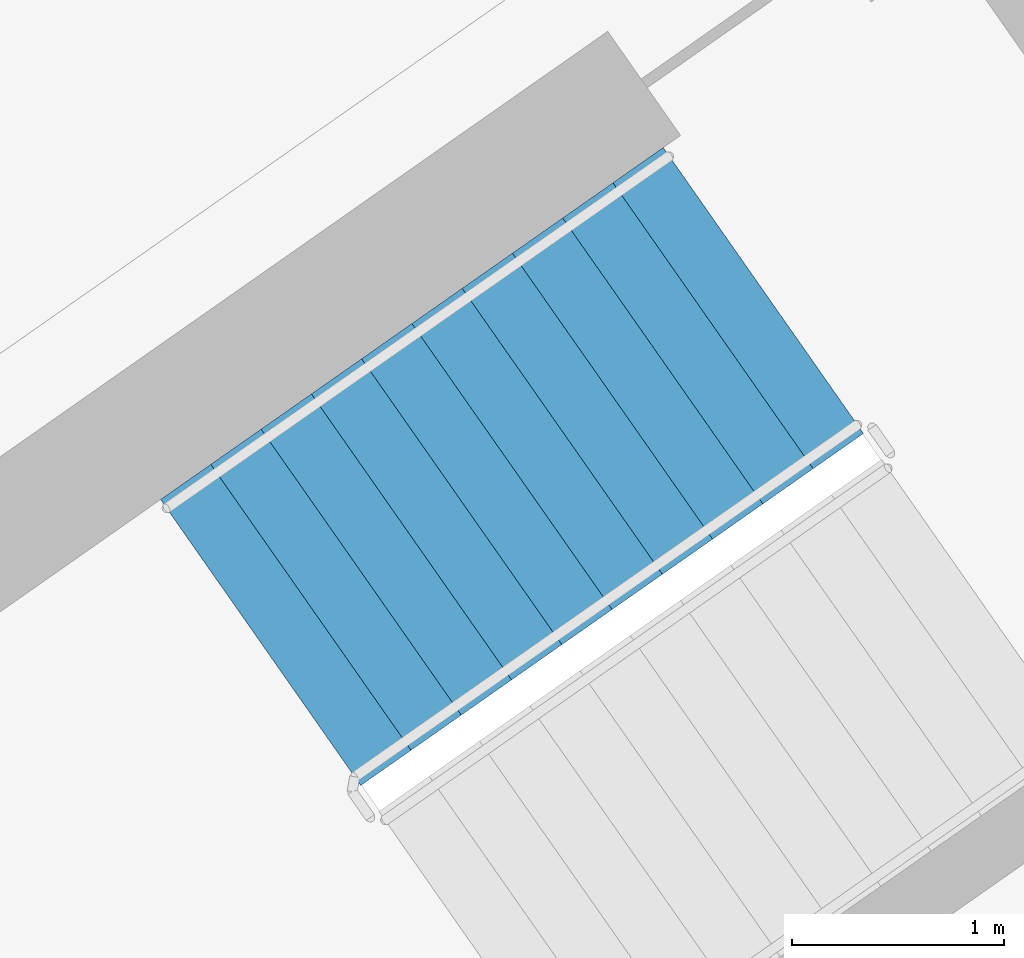
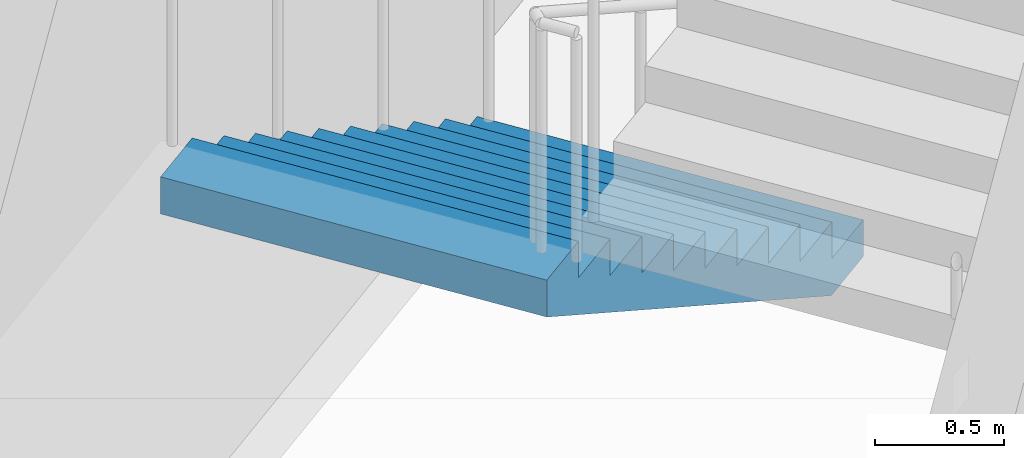
# One storey, part 18 of 26: 1 stair flight, 1 element without a shape of its own.
"""IFC4 building model written with IfcOpenShell, lengths in metres."""

import ifcopenshell
import ifcopenshell.guid

model = None  # the IFC model being written
_history = None  # IfcOwnerHistory: only IFC2X3 demands one
_inside = {}  # id of a spatial element -> (the spatial element, [elements in it])
_under = {}  # id of a project, library or spatial element -> (it, [spatial elements below it])
_declared = {}  # id of a project -> (the project, [libraries it declares])
_typed = {}  # id of a type object -> (the type object, [elements of that type])
_made_of = {}  # id of a material, layer set ... -> (it, [elements and type objects made of it])


def new_model(schema):
    """Start an empty IFC model of exactly this schema.

    Asked for "IFC4X3", IfcOpenShell would pick the latest addendum, in which some entities
    have other attributes; the version numbers below select the first issue.
    IFC2X3 requires an IfcOwnerHistory on every rooted entity: one is made here for all.
    """
    global model, _history
    if schema == "IFC4X3":
        model = ifcopenshell.file(schema_version=(4, 3, 0, 0))
    else:
        model = ifcopenshell.file(schema=schema)
    _inside.clear()
    _under.clear()
    _declared.clear()
    _typed.clear()
    _made_of.clear()
    _history = None
    if model.schema == "IFC2X3":
        org = make("IfcOrganization", Name="unknown")
        user = make(
            "IfcPersonAndOrganization",
            ThePerson=make("IfcPerson", FamilyName="unknown"),
            TheOrganization=org,
        )
        app = make(
            "IfcApplication",
            ApplicationDeveloper=org,
            Version="unknown",
            ApplicationFullName="unknown",
            ApplicationIdentifier="unknown",
        )
        _history = make(
            "IfcOwnerHistory",
            OwningUser=user,
            OwningApplication=app,
            ChangeAction="ADDED",
            CreationDate=0,
        )
    return model


def make(cls, **values):
    """One entity of the class cls with the attributes given. An attribute that is None is left unset."""
    return model.create_entity(
        cls, **{name: value for name, value in values.items() if value is not None}
    )


def rooted(cls, **values):
    """An entity with a GlobalId (a new one), such as an element, a storey or a relation."""
    return make(cls, GlobalId=ifcopenshell.guid.new(), OwnerHistory=_history, **values)


def si_unit(unit_type, name, prefix=None):
    """IfcSIUnit, for example si_unit("LENGTHUNIT", "METRE", prefix="MILLI")."""
    return make("IfcSIUnit", UnitType=unit_type, Prefix=prefix, Name=name)


def assignment(units):
    """IfcUnitAssignment: the units of a project."""
    return None if units is None else make("IfcUnitAssignment", Units=units)


def point(xyz):
    """IfcCartesianPoint."""
    return None if xyz is None else make("IfcCartesianPoint", Coordinates=xyz)


def direction(xyz):
    """IfcDirection."""
    return None if xyz is None else make("IfcDirection", DirectionRatios=xyz)


def frame(location, z_axis=None, x_axis=None):
    """IfcAxis2Placement3D, a coordinate frame: its origin and axes. An axis left out is left unset."""
    return make(
        "IfcAxis2Placement3D",
        Location=point(location),
        Axis=direction(z_axis),
        RefDirection=direction(x_axis),
    )


def origin():
    """The frame at (0, 0, 0) with its axes left unset."""
    return frame((0.0, 0.0, 0.0))


def place(relative_to, where):
    """IfcLocalPlacement: puts the frame where relative to a parent placement (None: the world)."""
    return make(
        "IfcLocalPlacement", PlacementRelTo=relative_to, RelativePlacement=where
    )


def context(
    kind, dimensions, precision=None, world=None, true_north=None, identifier=None
):
    """IfcGeometricRepresentationContext, for example the 3D "Model" context."""
    return make(
        "IfcGeometricRepresentationContext",
        ContextIdentifier=identifier,
        ContextType=kind,
        CoordinateSpaceDimension=dimensions,
        Precision=precision,
        WorldCoordinateSystem=world,
        TrueNorth=true_north,
    )


def subcontext(parent, identifier, kind, view, scale=None):
    """IfcGeometricRepresentationSubContext, for example "Body" below "Model"."""
    return make(
        "IfcGeometricRepresentationSubContext",
        ContextIdentifier=identifier,
        ContextType=kind,
        ParentContext=parent,
        TargetScale=scale,
        TargetView=view,
    )


def project(units=None, contexts=None):
    """IfcProject with its units and contexts."""
    return rooted(
        "IfcProject",
        Name="project",
        RepresentationContexts=contexts,
        UnitsInContext=assignment(units),
    )


def spatial(cls, under=None, at=None, **own):
    """A site, building, storey or space (cls), placed at a placement, below another one or the project."""
    s = rooted(cls, ObjectPlacement=at, **own)
    if under is not None:
        _under.setdefault(under.id(), (under, []))[1].append(s)
    return s


def faces_of(points, faces, orient=None, outer=None):
    """IfcFace entities. A face is a list of loops; a loop is a list of indices into points, from 0.

    orient and outer hold one flag for each loop. By default every Orientation is true, the
    first loop of a face is its IfcFaceOuterBound and the others are IfcFaceBound.
    """
    made = []
    for i, loops in enumerate(faces):
        bounds = []
        for j, loop in enumerate(loops):
            is_outer = j == 0 if outer is None else outer[i][j]
            bounds.append(
                make(
                    "IfcFaceOuterBound" if is_outer else "IfcFaceBound",
                    Bound=make("IfcPolyLoop", Polygon=[points[k] for k in loop]),
                    Orientation=True if orient is None else orient[i][j],
                )
            )
        made.append(make("IfcFace", Bounds=bounds))
    return made


def faceted_brep(points, faces, orient=None, outer=None, voids=None):
    """IfcFacetedBrep: a solid bounded by flat faces; with voids (closed shells), ...WithVoids."""
    shared = [point(p) for p in points]
    hull = make("IfcClosedShell", CfsFaces=faces_of(shared, faces, orient, outer))
    if voids is None:
        return make("IfcFacetedBrep", Outer=hull)
    return make(
        "IfcFacetedBrepWithVoids",
        Outer=hull,
        Voids=[
            make(cls, CfsFaces=faces_of(shared, fs, o, b)) for cls, fs, o, b in voids
        ],
    )


def shape(context_of_items, identifier, shape_type, items):
    """IfcShapeRepresentation: the items that make up one representation, for example the "Body"."""
    return make(
        "IfcShapeRepresentation",
        ContextOfItems=context_of_items,
        RepresentationIdentifier=identifier,
        RepresentationType=shape_type,
        Items=items,
    )


def material(Name=None, Category=None):
    """IfcMaterial."""
    return make("IfcMaterial", Name=Name, Category=Category)


def made_of(thing, what):
    """Note that an element or type object is made of a material, layer set ...; save() writes the relation."""
    if what is not None:
        _made_of.setdefault(what.id(), (what, []))[1].append(thing)
    return thing


def type_object(cls, material=None, **own):
    """A type object (cls), such as IfcWallType, which elements share."""
    return made_of(rooted(cls, **own), material)


def element(
    cls,
    number,
    at=None,
    inside=None,
    cuts=None,
    type_object=None,
    material=None,
    context=None,
    identifier="Body",
    shape_type=None,
    held_by="IfcProductDefinitionShape",
    body=None,
    shapes=None,
    **own,
):
    """One element of the class cls, such as IfcWall. Its Tag is "e" and its number.

    at: its placement. inside: the storey or other place that contains it. cuts: it is an
    opening in that element (IfcRelVoidsElement). A single representation is given by context,
    identifier, shape_type and body (its items); several are given by shapes. held_by: the class
    of the entity that holds the representations. save() writes the other relations.
    """
    e = rooted(cls, Tag="e%d" % number, ObjectPlacement=at, **own)
    if body is not None:
        shapes = [shape(context, identifier, shape_type, body)]
    if shapes is not None:
        e.Representation = make(held_by, Representations=shapes)
    if inside is not None:
        _inside.setdefault(inside.id(), (inside, []))[1].append(e)
    if cuts is not None:
        rooted(
            "IfcRelVoidsElement", RelatingBuildingElement=cuts, RelatedOpeningElement=e
        )
    if type_object is not None:
        _typed.setdefault(type_object.id(), (type_object, []))[1].append(e)
    return made_of(e, material)


def aggregate(whole, parts):
    """IfcRelAggregates: a whole, such as a stair, and the parts it consists of."""
    return rooted("IfcRelAggregates", RelatingObject=whole, RelatedObjects=parts)


def save(model, path):
    """Write the relations noted so far, then the file.

    IfcRelAggregates (storeys below a building ...), IfcRelContainedInSpatialStructure (elements
    in a storey), IfcRelDefinesByType, IfcRelAssociatesMaterial and IfcRelDeclares: one each for
    every whole, place, type object, material and project.
    """
    for whole, parts in _under.values():
        aggregate(whole, parts)
    for where, things in _inside.values():
        rooted(
            "IfcRelContainedInSpatialStructure",
            RelatedElements=things,
            RelatingStructure=where,
        )
    for kind, things in _typed.values():
        rooted("IfcRelDefinesByType", RelatedObjects=things, RelatingType=kind)
    for what, things in _made_of.values():
        rooted("IfcRelAssociatesMaterial", RelatedObjects=things, RelatingMaterial=what)
    for by, libraries in _declared.values():
        rooted("IfcRelDeclares", RelatingContext=by, RelatedDefinitions=libraries)
    model.write(path)


model = new_model("IFC4")

# Units and contexts
model_context = context("Model", 3, precision=1e-05, world=origin(), true_north=direction((0.0, 1.0)))
body_context = subcontext(model_context, "Body", "Model", "MODEL_VIEW")
ifc_project = project(units=[si_unit("LENGTHUNIT", "METRE"), si_unit("AREAUNIT", "SQUARE_METRE"), si_unit("VOLUMEUNIT", "CUBIC_METRE"), si_unit("PLANEANGLEUNIT", "RADIAN"), si_unit("MASSUNIT", "GRAM", prefix="KILO")], contexts=[model_context])

# Site, building, storey
site_placement = place(None, origin())
site = spatial("IfcSite", under=ifc_project, at=site_placement, CompositionType="ELEMENT")
building_placement = place(site_placement, origin())
building = spatial("IfcBuilding", under=site, at=building_placement, Name="Qamariyya Broadcast Tower", CompositionType="ELEMENT")
storey_placement = place(building_placement, frame((0.0, 0.0, 183.5)))
storey = spatial("IfcBuildingStorey", under=building, at=storey_placement, Name="L43", CompositionType="ELEMENT", Elevation=183.5)

# Stair, stair flight
ifc_material = material(Name="Concrete C50/60", Category="concrete")
stair_type = type_object("IfcStairType", Name="Exit stair 22 risers of 173 mm", PredefinedType="HALF_TURN_STAIR", material=ifc_material)
stair_placement = place(storey_placement, origin())
stair = element("IfcStair", 1, at=stair_placement, inside=storey, type_object=stair_type, Name="L43 Stair E2", PredefinedType="HALF_TURN_STAIR")
stair_flight_type = type_object("IfcStairFlightType", Name="Exit stair flight 11 risers of 173 mm", PredefinedType="STRAIGHT", material=ifc_material)
stair_flight_placement = place(storey_placement, frame((40.558837890625, -47.685302734375, 0.0), z_axis=(0.0, 0.0, 1.0), x_axis=(-0.819152044289, -0.573576436351, 0.0)))
stair_flight = element("IfcStairFlight", 2, at=stair_flight_placement, type_object=stair_flight_type, Name="ST-E2 flight 1", NumberOfRisers=11, NumberOfTreads=10, PredefinedType="STRAIGHT", RiserHeight=0.172727273, TreadLength=0.29, context=body_context, shape_type="Brep", body=[
    faceted_brep([(0.0, 0.824951171875, 0.0), (0.0, 0.824951171875, 0.172607421875), (0.2900390625, 0.824951171875, 0.172607421875), (0.2900390625, 0.824951171875, 0.345458984375), (0.580078125, 0.824951171875, 0.345458984375), (0.580078125, 0.824951171875, 0.51806640625), (0.8701171875, 0.824951171875, 0.51806640625), (0.8701171875, 0.824951171875, 0.69091796875), (1.159912109375, 0.824951171875, 0.69091796875), (1.159912109375, 0.824951171875, 0.863525390625), (1.449951171875, 0.824951171875, 0.863525390625), (1.449951171875, 0.824951171875, 1.036376953125), (1.739990234375, 0.824951171875, 1.036376953125), (1.739990234375, 0.824951171875, 1.208984375), (2.030029296875, 0.824951171875, 1.208984375), (2.030029296875, 0.824951171875, 1.3818359375), (2.320068359375, 0.824951171875, 1.3818359375), (2.320068359375, 0.824951171875, 1.554443359375), (2.610107421875, 0.824951171875, 1.554443359375), (2.610107421875, 0.824951171875, 1.727294921875), (2.89990234375, 0.824951171875, 1.727294921875), (2.89990234375, 0.824951171875, 1.552734375), (0.29296875, 0.824951171875, 0.0), (0.29296875, -0.824951171875, 0.0), (2.89990234375, -0.824951171875, 1.552734375), (2.89990234375, -0.824951171875, 1.727294921875), (2.610107421875, -0.824951171875, 1.727294921875), (2.610107421875, -0.824951171875, 1.554443359375), (2.320068359375, -0.824951171875, 1.554443359375), (2.320068359375, -0.824951171875, 1.3818359375), (2.030029296875, -0.824951171875, 1.3818359375), (2.030029296875, -0.824951171875, 1.208984375), (1.739990234375, -0.824951171875, 1.208984375), (1.739990234375, -0.824951171875, 1.036376953125), (1.449951171875, -0.824951171875, 1.036376953125), (1.449951171875, -0.824951171875, 0.863525390625), (1.159912109375, -0.824951171875, 0.863525390625), (1.159912109375, -0.824951171875, 0.69091796875), (0.8701171875, -0.824951171875, 0.69091796875), (0.8701171875, -0.824951171875, 0.51806640625), (0.580078125, -0.824951171875, 0.51806640625), (0.580078125, -0.824951171875, 0.345458984375), (0.2900390625, -0.824951171875, 0.345458984375), (0.2900390625, -0.824951171875, 0.172607421875), (0.0, -0.824951171875, 0.172607421875), (0.0, -0.824951171875, 0.0), (0.0, 0.10009765625, 0.0), (0.0, 0.086669921875, 0.0), (0.0, 0.0732421875, 0.0), (0.0, 0.06005859375, 0.0), (0.0, 0.046630859375, 0.0), (0.0, 0.033447265625, 0.0), (0.0, 0.02001953125, 0.0), (0.0, 0.006591796875, 0.0), (0.0, -0.006591796875, 0.0), (0.0, -0.02001953125, 0.0), (0.0, -0.033447265625, 0.0), (0.0, -0.046630859375, 0.0), (0.0, -0.06005859375, 0.0), (0.0, -0.0732421875, 0.0), (0.0, -0.086669921875, 0.0), (0.0, -0.10009765625, 0.0), (0.0, -0.10009765625, 0.172607421875), (0.0, -0.086669921875, 0.172607421875), (0.0, -0.0732421875, 0.172607421875), (0.0, -0.06005859375, 0.172607421875), (0.0, -0.046630859375, 0.172607421875), (0.0, -0.033447265625, 0.172607421875), (0.0, -0.02001953125, 0.172607421875), (0.0, -0.006591796875, 0.172607421875), (0.0, 0.006591796875, 0.172607421875), (0.0, 0.02001953125, 0.172607421875), (0.0, 0.033447265625, 0.172607421875), (0.0, 0.046630859375, 0.172607421875), (0.0, 0.06005859375, 0.172607421875), (0.0, 0.0732421875, 0.172607421875), (0.0, 0.086669921875, 0.172607421875), (0.0, 0.10009765625, 0.172607421875), (0.2900390625, -0.10009765625, 0.172607421875), (0.2900390625, -0.086669921875, 0.172607421875), (0.2900390625, -0.0732421875, 0.172607421875), (0.2900390625, -0.06005859375, 0.172607421875), (0.2900390625, -0.046630859375, 0.172607421875), (0.2900390625, -0.033447265625, 0.172607421875), (0.2900390625, -0.02001953125, 0.172607421875), (0.2900390625, -0.006591796875, 0.172607421875), (0.2900390625, 0.006591796875, 0.172607421875), (0.2900390625, 0.02001953125, 0.172607421875), (0.2900390625, 0.033447265625, 0.172607421875), (0.2900390625, 0.046630859375, 0.172607421875), (0.2900390625, 0.06005859375, 0.172607421875), (0.2900390625, 0.0732421875, 0.172607421875), (0.2900390625, 0.086669921875, 0.172607421875), (0.2900390625, 0.10009765625, 0.172607421875), (0.2900390625, -0.10009765625, 0.345458984375), (0.2900390625, -0.086669921875, 0.345458984375), (0.2900390625, -0.0732421875, 0.345458984375), (0.2900390625, -0.06005859375, 0.345458984375), (0.2900390625, -0.046630859375, 0.345458984375), (0.2900390625, -0.033447265625, 0.345458984375), (0.2900390625, -0.02001953125, 0.345458984375), (0.2900390625, -0.006591796875, 0.345458984375), (0.2900390625, 0.006591796875, 0.345458984375), (0.2900390625, 0.02001953125, 0.345458984375), (0.2900390625, 0.033447265625, 0.345458984375), (0.2900390625, 0.046630859375, 0.345458984375), (0.2900390625, 0.06005859375, 0.345458984375), (0.2900390625, 0.0732421875, 0.345458984375), (0.2900390625, 0.086669921875, 0.345458984375), (0.2900390625, 0.10009765625, 0.345458984375), (0.580078125, -0.10009765625, 0.345458984375), (0.580078125, -0.086669921875, 0.345458984375), (0.580078125, -0.0732421875, 0.345458984375), (0.580078125, -0.06005859375, 0.345458984375), (0.580078125, -0.046630859375, 0.345458984375), (0.580078125, -0.033447265625, 0.345458984375), (0.580078125, -0.02001953125, 0.345458984375), (0.580078125, -0.006591796875, 0.345458984375), (0.580078125, 0.006591796875, 0.345458984375), (0.580078125, 0.02001953125, 0.345458984375), (0.580078125, 0.033447265625, 0.345458984375), (0.580078125, 0.046630859375, 0.345458984375), (0.580078125, 0.06005859375, 0.345458984375), (0.580078125, 0.0732421875, 0.345458984375), (0.580078125, 0.086669921875, 0.345458984375), (0.580078125, 0.10009765625, 0.345458984375), (0.580078125, -0.10009765625, 0.51806640625), (0.580078125, -0.086669921875, 0.51806640625), (0.580078125, -0.0732421875, 0.51806640625), (0.580078125, -0.06005859375, 0.51806640625), (0.580078125, -0.046630859375, 0.51806640625), (0.580078125, -0.033447265625, 0.51806640625), (0.580078125, -0.02001953125, 0.51806640625), (0.580078125, -0.006591796875, 0.51806640625), (0.580078125, 0.006591796875, 0.51806640625), (0.580078125, 0.02001953125, 0.51806640625), (0.580078125, 0.033447265625, 0.51806640625), (0.580078125, 0.046630859375, 0.51806640625), (0.580078125, 0.06005859375, 0.51806640625), (0.580078125, 0.0732421875, 0.51806640625), (0.580078125, 0.086669921875, 0.51806640625), (0.580078125, 0.10009765625, 0.51806640625), (0.8701171875, -0.10009765625, 0.51806640625), (0.8701171875, -0.086669921875, 0.51806640625), (0.8701171875, -0.0732421875, 0.51806640625), (0.8701171875, -0.06005859375, 0.51806640625), (0.8701171875, -0.046630859375, 0.51806640625), (0.8701171875, -0.033447265625, 0.51806640625), (0.8701171875, -0.02001953125, 0.51806640625), (0.8701171875, -0.006591796875, 0.51806640625), (0.8701171875, 0.006591796875, 0.51806640625), (0.8701171875, 0.02001953125, 0.51806640625), (0.8701171875, 0.033447265625, 0.51806640625), (0.8701171875, 0.046630859375, 0.51806640625), (0.8701171875, 0.06005859375, 0.51806640625), (0.8701171875, 0.0732421875, 0.51806640625), (0.8701171875, 0.086669921875, 0.51806640625), (0.8701171875, 0.10009765625, 0.51806640625), (0.8701171875, -0.10009765625, 0.69091796875), (0.8701171875, -0.086669921875, 0.69091796875), (0.8701171875, -0.0732421875, 0.69091796875), (0.8701171875, -0.06005859375, 0.69091796875), (0.8701171875, -0.046630859375, 0.69091796875), (0.8701171875, -0.033447265625, 0.69091796875), (0.8701171875, -0.02001953125, 0.69091796875), (0.8701171875, -0.006591796875, 0.69091796875), (0.8701171875, 0.006591796875, 0.69091796875), (0.8701171875, 0.02001953125, 0.69091796875), (0.8701171875, 0.033447265625, 0.69091796875), (0.8701171875, 0.046630859375, 0.69091796875), (0.8701171875, 0.06005859375, 0.69091796875), (0.8701171875, 0.0732421875, 0.69091796875), (0.8701171875, 0.086669921875, 0.69091796875), (0.8701171875, 0.10009765625, 0.69091796875), (1.159912109375, -0.10009765625, 0.69091796875), (1.159912109375, -0.086669921875, 0.69091796875), (1.159912109375, -0.0732421875, 0.69091796875), (1.159912109375, -0.06005859375, 0.69091796875), (1.159912109375, -0.046630859375, 0.69091796875), (1.159912109375, -0.033447265625, 0.69091796875), (1.159912109375, -0.02001953125, 0.69091796875), (1.159912109375, -0.006591796875, 0.69091796875), (1.159912109375, 0.006591796875, 0.69091796875), (1.159912109375, 0.02001953125, 0.69091796875), (1.159912109375, 0.033447265625, 0.69091796875), (1.159912109375, 0.046630859375, 0.69091796875), (1.159912109375, 0.06005859375, 0.69091796875), (1.159912109375, 0.0732421875, 0.69091796875), (1.159912109375, 0.086669921875, 0.69091796875), (1.159912109375, 0.10009765625, 0.69091796875), (1.159912109375, -0.10009765625, 0.863525390625), (1.159912109375, -0.086669921875, 0.863525390625), (1.159912109375, -0.0732421875, 0.863525390625), (1.159912109375, -0.06005859375, 0.863525390625), (1.159912109375, -0.046630859375, 0.863525390625), (1.159912109375, -0.033447265625, 0.863525390625), (1.159912109375, -0.02001953125, 0.863525390625), (1.159912109375, -0.006591796875, 0.863525390625), (1.159912109375, 0.006591796875, 0.863525390625), (1.159912109375, 0.02001953125, 0.863525390625), (1.159912109375, 0.033447265625, 0.863525390625), (1.159912109375, 0.046630859375, 0.863525390625), (1.159912109375, 0.06005859375, 0.863525390625), (1.159912109375, 0.0732421875, 0.863525390625), (1.159912109375, 0.086669921875, 0.863525390625), (1.159912109375, 0.10009765625, 0.863525390625), (1.449951171875, -0.10009765625, 0.863525390625), (1.449951171875, -0.086669921875, 0.863525390625), (1.449951171875, -0.0732421875, 0.863525390625), (1.449951171875, -0.06005859375, 0.863525390625), (1.449951171875, -0.046630859375, 0.863525390625), (1.449951171875, -0.033447265625, 0.863525390625), (1.449951171875, -0.02001953125, 0.863525390625), (1.449951171875, -0.006591796875, 0.863525390625), (1.449951171875, 0.006591796875, 0.863525390625), (1.449951171875, 0.02001953125, 0.863525390625), (1.449951171875, 0.033447265625, 0.863525390625), (1.449951171875, 0.046630859375, 0.863525390625), (1.449951171875, 0.06005859375, 0.863525390625), (1.449951171875, 0.0732421875, 0.863525390625), (1.449951171875, 0.086669921875, 0.863525390625), (1.449951171875, 0.10009765625, 0.863525390625), (1.449951171875, -0.10009765625, 1.036376953125), (1.449951171875, -0.086669921875, 1.036376953125), (1.449951171875, -0.0732421875, 1.036376953125), (1.449951171875, -0.06005859375, 1.036376953125), (1.449951171875, -0.046630859375, 1.036376953125), (1.449951171875, -0.033447265625, 1.036376953125), (1.449951171875, -0.02001953125, 1.036376953125), (1.449951171875, -0.006591796875, 1.036376953125), (1.449951171875, 0.006591796875, 1.036376953125), (1.449951171875, 0.02001953125, 1.036376953125), (1.449951171875, 0.033447265625, 1.036376953125), (1.449951171875, 0.046630859375, 1.036376953125), (1.449951171875, 0.06005859375, 1.036376953125), (1.449951171875, 0.0732421875, 1.036376953125), (1.449951171875, 0.086669921875, 1.036376953125), (1.449951171875, 0.10009765625, 1.036376953125), (1.739990234375, -0.10009765625, 1.036376953125), (1.739990234375, -0.086669921875, 1.036376953125), (1.739990234375, -0.0732421875, 1.036376953125), (1.739990234375, -0.06005859375, 1.036376953125), (1.739990234375, -0.046630859375, 1.036376953125), (1.739990234375, -0.033447265625, 1.036376953125), (1.739990234375, -0.02001953125, 1.036376953125), (1.739990234375, -0.006591796875, 1.036376953125), (1.739990234375, 0.006591796875, 1.036376953125), (1.739990234375, 0.02001953125, 1.036376953125), (1.739990234375, 0.033447265625, 1.036376953125), (1.739990234375, 0.046630859375, 1.036376953125), (1.739990234375, 0.06005859375, 1.036376953125), (1.739990234375, 0.0732421875, 1.036376953125), (1.739990234375, 0.086669921875, 1.036376953125), (1.739990234375, 0.10009765625, 1.036376953125), (1.739990234375, -0.10009765625, 1.208984375), (1.739990234375, -0.086669921875, 1.208984375), (1.739990234375, -0.0732421875, 1.208984375), (1.739990234375, -0.06005859375, 1.208984375), (1.739990234375, -0.046630859375, 1.208984375), (1.739990234375, -0.033447265625, 1.208984375), (1.739990234375, -0.02001953125, 1.208984375), (1.739990234375, -0.006591796875, 1.208984375), (1.739990234375, 0.006591796875, 1.208984375), (1.739990234375, 0.02001953125, 1.208984375), (1.739990234375, 0.033447265625, 1.208984375), (1.739990234375, 0.046630859375, 1.208984375), (1.739990234375, 0.06005859375, 1.208984375), (1.739990234375, 0.0732421875, 1.208984375), (1.739990234375, 0.086669921875, 1.208984375), (1.739990234375, 0.10009765625, 1.208984375), (2.030029296875, -0.10009765625, 1.208984375), (2.030029296875, -0.086669921875, 1.208984375), (2.030029296875, -0.0732421875, 1.208984375), (2.030029296875, -0.06005859375, 1.208984375), (2.030029296875, -0.046630859375, 1.208984375), (2.030029296875, -0.033447265625, 1.208984375), (2.030029296875, -0.02001953125, 1.208984375), (2.030029296875, -0.006591796875, 1.208984375), (2.030029296875, 0.006591796875, 1.208984375), (2.030029296875, 0.02001953125, 1.208984375), (2.030029296875, 0.033447265625, 1.208984375), (2.030029296875, 0.046630859375, 1.208984375), (2.030029296875, 0.06005859375, 1.208984375), (2.030029296875, 0.0732421875, 1.208984375), (2.030029296875, 0.086669921875, 1.208984375), (2.030029296875, 0.10009765625, 1.208984375), (2.030029296875, -0.10009765625, 1.3818359375), (2.030029296875, -0.086669921875, 1.3818359375), (2.030029296875, -0.0732421875, 1.3818359375), (2.030029296875, -0.06005859375, 1.3818359375), (2.030029296875, -0.046630859375, 1.3818359375), (2.030029296875, -0.033447265625, 1.3818359375), (2.030029296875, -0.02001953125, 1.3818359375), (2.030029296875, -0.006591796875, 1.3818359375), (2.030029296875, 0.006591796875, 1.3818359375), (2.030029296875, 0.02001953125, 1.3818359375), (2.030029296875, 0.033447265625, 1.3818359375), (2.030029296875, 0.046630859375, 1.3818359375), (2.030029296875, 0.06005859375, 1.3818359375), (2.030029296875, 0.0732421875, 1.3818359375), (2.030029296875, 0.086669921875, 1.3818359375), (2.030029296875, 0.10009765625, 1.3818359375), (2.320068359375, -0.10009765625, 1.3818359375), (2.320068359375, -0.086669921875, 1.3818359375), (2.320068359375, -0.0732421875, 1.3818359375), (2.320068359375, -0.06005859375, 1.3818359375), (2.320068359375, -0.046630859375, 1.3818359375), (2.320068359375, -0.033447265625, 1.3818359375), (2.320068359375, -0.02001953125, 1.3818359375), (2.320068359375, -0.006591796875, 1.3818359375), (2.320068359375, 0.006591796875, 1.3818359375), (2.320068359375, 0.02001953125, 1.3818359375), (2.320068359375, 0.033447265625, 1.3818359375), (2.320068359375, 0.046630859375, 1.3818359375), (2.320068359375, 0.06005859375, 1.3818359375), (2.320068359375, 0.0732421875, 1.3818359375), (2.320068359375, 0.086669921875, 1.3818359375), (2.320068359375, 0.10009765625, 1.3818359375), (2.320068359375, -0.10009765625, 1.554443359375), (2.320068359375, -0.086669921875, 1.554443359375), (2.320068359375, -0.0732421875, 1.554443359375), (2.320068359375, -0.06005859375, 1.554443359375), (2.320068359375, -0.046630859375, 1.554443359375), (2.320068359375, -0.033447265625, 1.554443359375), (2.320068359375, -0.02001953125, 1.554443359375), (2.320068359375, -0.006591796875, 1.554443359375), (2.320068359375, 0.006591796875, 1.554443359375), (2.320068359375, 0.02001953125, 1.554443359375), (2.320068359375, 0.033447265625, 1.554443359375), (2.320068359375, 0.046630859375, 1.554443359375), (2.320068359375, 0.06005859375, 1.554443359375), (2.320068359375, 0.0732421875, 1.554443359375), (2.320068359375, 0.086669921875, 1.554443359375), (2.320068359375, 0.10009765625, 1.554443359375), (2.610107421875, -0.10009765625, 1.554443359375), (2.610107421875, -0.086669921875, 1.554443359375), (2.610107421875, -0.0732421875, 1.554443359375), (2.610107421875, -0.06005859375, 1.554443359375), (2.610107421875, -0.046630859375, 1.554443359375), (2.610107421875, -0.033447265625, 1.554443359375), (2.610107421875, -0.02001953125, 1.554443359375), (2.610107421875, -0.006591796875, 1.554443359375), (2.610107421875, 0.006591796875, 1.554443359375), (2.610107421875, 0.02001953125, 1.554443359375), (2.610107421875, 0.033447265625, 1.554443359375), (2.610107421875, 0.046630859375, 1.554443359375), (2.610107421875, 0.06005859375, 1.554443359375), (2.610107421875, 0.0732421875, 1.554443359375), (2.610107421875, 0.086669921875, 1.554443359375), (2.610107421875, 0.10009765625, 1.554443359375), (2.610107421875, -0.10009765625, 1.727294921875), (2.610107421875, -0.086669921875, 1.727294921875), (2.610107421875, -0.0732421875, 1.727294921875), (2.610107421875, -0.06005859375, 1.727294921875), (2.610107421875, -0.046630859375, 1.727294921875), (2.610107421875, -0.033447265625, 1.727294921875), (2.610107421875, -0.02001953125, 1.727294921875), (2.610107421875, -0.006591796875, 1.727294921875), (2.610107421875, 0.006591796875, 1.727294921875), (2.610107421875, 0.02001953125, 1.727294921875), (2.610107421875, 0.033447265625, 1.727294921875), (2.610107421875, 0.046630859375, 1.727294921875), (2.610107421875, 0.06005859375, 1.727294921875), (2.610107421875, 0.0732421875, 1.727294921875), (2.610107421875, 0.086669921875, 1.727294921875), (2.610107421875, 0.10009765625, 1.727294921875), (2.89990234375, -0.10009765625, 1.727294921875), (2.89990234375, -0.086669921875, 1.727294921875), (2.89990234375, -0.0732421875, 1.727294921875), (2.89990234375, -0.06005859375, 1.727294921875), (2.89990234375, -0.046630859375, 1.727294921875), (2.89990234375, -0.033447265625, 1.727294921875), (2.89990234375, -0.02001953125, 1.727294921875), (2.89990234375, -0.006591796875, 1.727294921875), (2.89990234375, 0.006591796875, 1.727294921875), (2.89990234375, 0.02001953125, 1.727294921875), (2.89990234375, 0.033447265625, 1.727294921875), (2.89990234375, 0.046630859375, 1.727294921875), (2.89990234375, 0.06005859375, 1.727294921875), (2.89990234375, 0.0732421875, 1.727294921875), (2.89990234375, 0.086669921875, 1.727294921875), (2.89990234375, 0.10009765625, 1.727294921875), (2.89990234375, -0.10009765625, 1.552734375), (2.89990234375, -0.086669921875, 1.552734375), (2.89990234375, -0.0732421875, 1.552734375), (2.89990234375, -0.06005859375, 1.552734375), (2.89990234375, -0.046630859375, 1.552734375), (2.89990234375, -0.033447265625, 1.552734375), (2.89990234375, -0.02001953125, 1.552734375), (2.89990234375, -0.006591796875, 1.552734375), (2.89990234375, 0.006591796875, 1.552734375), (2.89990234375, 0.02001953125, 1.552734375), (2.89990234375, 0.033447265625, 1.552734375), (2.89990234375, 0.046630859375, 1.552734375), (2.89990234375, 0.06005859375, 1.552734375), (2.89990234375, 0.0732421875, 1.552734375), (2.89990234375, 0.086669921875, 1.552734375), (2.89990234375, 0.10009765625, 1.552734375), (0.29296875, -0.10009765625, 0.0), (0.29296875, -0.086669921875, 0.0), (0.29296875, -0.0732421875, 0.0), (0.29296875, -0.06005859375, 0.0), (0.29296875, -0.046630859375, 0.0), (0.29296875, -0.033447265625, 0.0), (0.29296875, -0.02001953125, 0.0), (0.29296875, -0.006591796875, 0.0), (0.29296875, 0.006591796875, 0.0), (0.29296875, 0.02001953125, 0.0), (0.29296875, 0.033447265625, 0.0), (0.29296875, 0.046630859375, 0.0), (0.29296875, 0.06005859375, 0.0), (0.29296875, 0.0732421875, 0.0), (0.29296875, 0.086669921875, 0.0), (0.29296875, 0.10009765625, 0.0)], [[[0, 1, 2, 3, 4, 5, 6, 7, 8, 9, 10, 11, 12, 13, 14, 15, 16, 17, 18, 19, 20, 21, 22]], [[23, 24, 25, 26, 27, 28, 29, 30, 31, 32, 33, 34, 35, 36, 37, 38, 39, 40, 41, 42, 43, 44, 45]], [[0, 46, 47, 48, 49, 50, 51, 52, 53, 54, 55, 56, 57, 58, 59, 60, 61, 45, 44, 62, 63, 64, 65, 66, 67, 68, 69, 70, 71, 72, 73, 74, 75, 76, 77, 1]], [[1, 77, 76, 75, 74, 73, 72, 71, 70, 69, 68, 67, 66, 65, 64, 63, 62, 44, 43, 78, 79, 80, 81, 82, 83, 84, 85, 86, 87, 88, 89, 90, 91, 92, 93, 2]], [[2, 93, 92, 91, 90, 89, 88, 87, 86, 85, 84, 83, 82, 81, 80, 79, 78, 43, 42, 94, 95, 96, 97, 98, 99, 100, 101, 102, 103, 104, 105, 106, 107, 108, 109, 3]], [[3, 109, 108, 107, 106, 105, 104, 103, 102, 101, 100, 99, 98, 97, 96, 95, 94, 42, 41, 110, 111, 112, 113, 114, 115, 116, 117, 118, 119, 120, 121, 122, 123, 124, 125, 4]], [[4, 125, 124, 123, 122, 121, 120, 119, 118, 117, 116, 115, 114, 113, 112, 111, 110, 41, 40, 126, 127, 128, 129, 130, 131, 132, 133, 134, 135, 136, 137, 138, 139, 140, 141, 5]], [[5, 141, 140, 139, 138, 137, 136, 135, 134, 133, 132, 131, 130, 129, 128, 127, 126, 40, 39, 142, 143, 144, 145, 146, 147, 148, 149, 150, 151, 152, 153, 154, 155, 156, 157, 6]], [[6, 157, 156, 155, 154, 153, 152, 151, 150, 149, 148, 147, 146, 145, 144, 143, 142, 39, 38, 158, 159, 160, 161, 162, 163, 164, 165, 166, 167, 168, 169, 170, 171, 172, 173, 7]], [[7, 173, 172, 171, 170, 169, 168, 167, 166, 165, 164, 163, 162, 161, 160, 159, 158, 38, 37, 174, 175, 176, 177, 178, 179, 180, 181, 182, 183, 184, 185, 186, 187, 188, 189, 8]], [[8, 189, 188, 187, 186, 185, 184, 183, 182, 181, 180, 179, 178, 177, 176, 175, 174, 37, 36, 190, 191, 192, 193, 194, 195, 196, 197, 198, 199, 200, 201, 202, 203, 204, 205, 9]], [[9, 205, 204, 203, 202, 201, 200, 199, 198, 197, 196, 195, 194, 193, 192, 191, 190, 36, 35, 206, 207, 208, 209, 210, 211, 212, 213, 214, 215, 216, 217, 218, 219, 220, 221, 10]], [[10, 221, 220, 219, 218, 217, 216, 215, 214, 213, 212, 211, 210, 209, 208, 207, 206, 35, 34, 222, 223, 224, 225, 226, 227, 228, 229, 230, 231, 232, 233, 234, 235, 236, 237, 11]], [[11, 237, 236, 235, 234, 233, 232, 231, 230, 229, 228, 227, 226, 225, 224, 223, 222, 34, 33, 238, 239, 240, 241, 242, 243, 244, 245, 246, 247, 248, 249, 250, 251, 252, 253, 12]], [[12, 253, 252, 251, 250, 249, 248, 247, 246, 245, 244, 243, 242, 241, 240, 239, 238, 33, 32, 254, 255, 256, 257, 258, 259, 260, 261, 262, 263, 264, 265, 266, 267, 268, 269, 13]], [[13, 269, 268, 267, 266, 265, 264, 263, 262, 261, 260, 259, 258, 257, 256, 255, 254, 32, 31, 270, 271, 272, 273, 274, 275, 276, 277, 278, 279, 280, 281, 282, 283, 284, 285, 14]], [[14, 285, 284, 283, 282, 281, 280, 279, 278, 277, 276, 275, 274, 273, 272, 271, 270, 31, 30, 286, 287, 288, 289, 290, 291, 292, 293, 294, 295, 296, 297, 298, 299, 300, 301, 15]], [[15, 301, 300, 299, 298, 297, 296, 295, 294, 293, 292, 291, 290, 289, 288, 287, 286, 30, 29, 302, 303, 304, 305, 306, 307, 308, 309, 310, 311, 312, 313, 314, 315, 316, 317, 16]], [[16, 317, 316, 315, 314, 313, 312, 311, 310, 309, 308, 307, 306, 305, 304, 303, 302, 29, 28, 318, 319, 320, 321, 322, 323, 324, 325, 326, 327, 328, 329, 330, 331, 332, 333, 17]], [[17, 333, 332, 331, 330, 329, 328, 327, 326, 325, 324, 323, 322, 321, 320, 319, 318, 28, 27, 334, 335, 336, 337, 338, 339, 340, 341, 342, 343, 344, 345, 346, 347, 348, 349, 18]], [[18, 349, 348, 347, 346, 345, 344, 343, 342, 341, 340, 339, 338, 337, 336, 335, 334, 27, 26, 350, 351, 352, 353, 354, 355, 356, 357, 358, 359, 360, 361, 362, 363, 364, 365, 19]], [[19, 365, 364, 363, 362, 361, 360, 359, 358, 357, 356, 355, 354, 353, 352, 351, 350, 26, 25, 366, 367, 368, 369, 370, 371, 372, 373, 374, 375, 376, 377, 378, 379, 380, 381, 20]], [[20, 381, 380, 379, 378, 377, 376, 375, 374, 373, 372, 371, 370, 369, 368, 367, 366, 25, 24, 382, 383, 384, 385, 386, 387, 388, 389, 390, 391, 392, 393, 394, 395, 396, 397, 21]], [[21, 397, 396, 395, 394, 393, 392, 391, 390, 389, 388, 387, 386, 385, 384, 383, 382, 24, 23, 398, 399, 400, 401, 402, 403, 404, 405, 406, 407, 408, 409, 410, 411, 412, 413, 22]], [[22, 413, 412, 411, 410, 409, 408, 407, 406, 405, 404, 403, 402, 401, 400, 399, 398, 23, 45, 61, 60, 59, 58, 57, 56, 55, 54, 53, 52, 51, 50, 49, 48, 47, 46, 0]]]),
])
aggregate(stair, [stair_flight])

save(model, "model.ifc")
